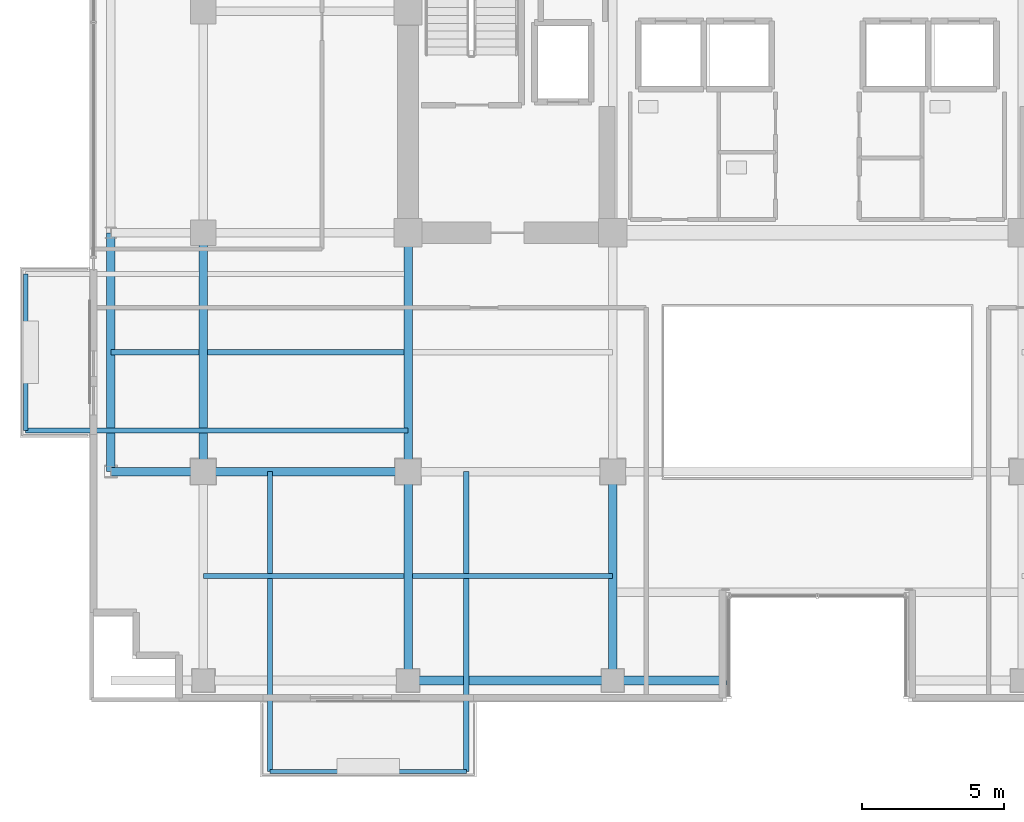
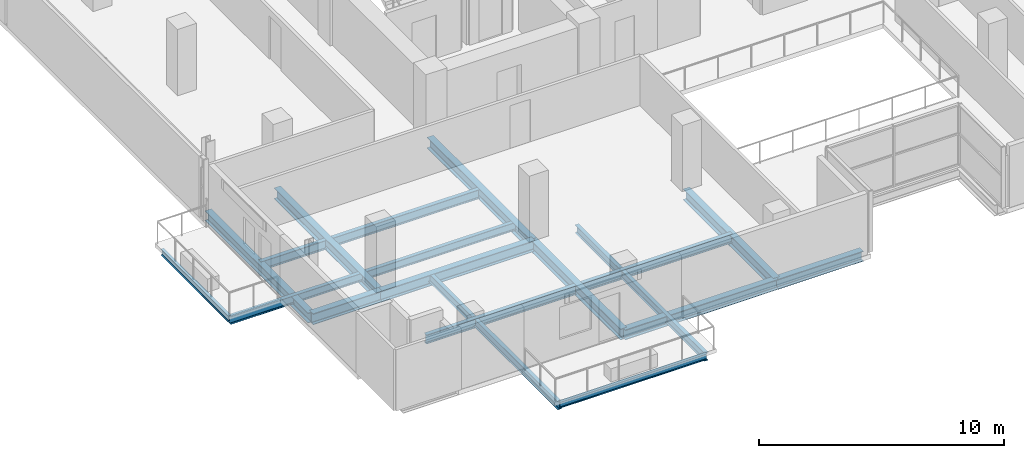
# One storey, part 2 of 22: 18 beams.
"""IFC4 building model written with IfcOpenShell, lengths in metres."""

from ifc_helpers import new_model, si_unit, direction, frame, origin, origin_2d, place, context, subcontext, project, spatial, i_section, extrude, material, material_profile, profile_set, type_object, element, save


model = new_model("IFC4")

# Units and contexts
model_context = context("Model", 3, precision=1e-05, world=origin(), true_north=direction((0.0, 1.0)))
body_context = subcontext(model_context, "Body", "Model", "MODEL_VIEW")
ifc_project = project(units=[si_unit("LENGTHUNIT", "METRE"), si_unit("AREAUNIT", "SQUARE_METRE"), si_unit("VOLUMEUNIT", "CUBIC_METRE"), si_unit("PLANEANGLEUNIT", "RADIAN"), si_unit("MASSUNIT", "GRAM", prefix="KILO")], contexts=[model_context])

# Site, building, storey
site_placement = place(None, origin())
site = spatial("IfcSite", under=ifc_project, at=site_placement, CompositionType="ELEMENT")
building_placement = place(site_placement, origin())
building = spatial("IfcBuilding", under=site, at=building_placement, Name="Zarnakvel Exchange Tower", CompositionType="ELEMENT")
storey_placement = place(building_placement, frame((0.0, 0.0, 136.300048828125)))
storey = spatial("IfcBuildingStorey", under=building, at=storey_placement, Name="L38", CompositionType="ELEMENT", Elevation=136.300048828125)

# Beams
ifc_material = material(Name="Steel S355", Category="steel")
ifc_material_profile_1 = material_profile(ifc_material, i_section(OverallWidth=0.18994140625, OverallDepth=0.449951171875, WebThickness=0.009521484375, FlangeThickness=0.0146484375, FilletRadius=0.02099609375, at=origin_2d()))
ifc_profile_set_1 = profile_set([ifc_material_profile_1], Name="Steel S355")
beam_type_1 = type_object("IfcBeamType", Name="B-05", PredefinedType="JOIST", material=ifc_profile_set_1)
for number, where, z_axis, x_axis, name in (
    (1, (-21.60009765625, -13.27490234375, -0.449951171875), (1.0, 0.0, 0.0), (0.0, 1.0, 0.0), "L38 Composite Floor Secondary Joist"),
    (2, (-14.25, -13.27490234375, -0.449951171875), (1.0, 0.0, 0.0), (0.0, 1.0, 0.0), "L38 Composite Floor Secondary Joist"),
):
    element("IfcBeam", number, at=place(storey_placement, frame(where, z_axis=z_axis, x_axis=x_axis)), inside=storey, type_object=beam_type_1, Name=name, PredefinedType="JOIST", context=body_context, shape_type="SweptSolid", body=[
        extrude(i_section(OverallWidth=0.18994140625, OverallDepth=0.449951171875, WebThickness=0.009521484375, FlangeThickness=0.0146484375, FilletRadius=0.02099609375, at=origin_2d()), origin(), (0.0, 0.0, 1.0), 7.050048828125),
    ])
beam_1_placement = place(storey_placement, frame((-24.85009765625, -5.39990234375, -0.449951171875), z_axis=(1.0, 0.0, 0.0), x_axis=(0.0, 1.0, 0.0)))
element("IfcBeam", 3, at=beam_1_placement, inside=storey, type_object=beam_type_1, Name="L38 Composite Floor Secondary Joist", PredefinedType="JOIST", context=body_context, shape_type="SweptSolid", body=[
    extrude(i_section(OverallWidth=0.18994140625, OverallDepth=0.449951171875, WebThickness=0.009521484375, FlangeThickness=0.0146484375, FilletRadius=0.02099609375, at=origin_2d()), origin(), (0.0, 0.0, 1.0), 3.10009765625),
])
beam_2_placement = place(storey_placement, frame((-21.449951171875, -5.39990234375, -0.449951171875), z_axis=(1.0, 0.0, 0.0), x_axis=(0.0, 1.0, 0.0)))
element("IfcBeam", 4, at=beam_2_placement, inside=storey, type_object=beam_type_1, Name="L38 Composite Floor Secondary Joist", PredefinedType="JOIST", context=body_context, shape_type="SweptSolid", body=[
    extrude(i_section(OverallWidth=0.18994140625, OverallDepth=0.449951171875, WebThickness=0.009521484375, FlangeThickness=0.0146484375, FilletRadius=0.02099609375, at=origin_2d()), origin(), (0.0, 0.0, 1.0), 6.89990234375),
])
ifc_material_profile_2 = material_profile(ifc_material, i_section(OverallWidth=0.179931640625, OverallDepth=0.39990234375, WebThickness=0.008544921875, FlangeThickness=0.013427734375, FilletRadius=0.02099609375, at=origin_2d()))
ifc_profile_set_2 = profile_set([ifc_material_profile_2], Name="Steel S355")
beam_type_2 = type_object("IfcBeamType", Name="B-06", PredefinedType="JOIST", material=ifc_profile_set_2)
for number, where, z_axis, x_axis, name in (
    (5, (-19.25, -9.60009765625, -0.425048828125), (0.0, -1.0, 0.0), (1.0, 0.0, 0.0), "L38 Continuous Back-Spanned Balcony Beam W"),
    (6, (-12.35009765625, -9.60009765625, -0.425048828125), (0.0, -1.0, 0.0), (1.0, 0.0, 0.0), "L38 Continuous Back-Spanned Balcony Beam E"),
):
    element("IfcBeam", number, at=place(storey_placement, frame(where, z_axis=z_axis, x_axis=x_axis)), inside=storey, type_object=beam_type_2, Name=name, PredefinedType="JOIST", context=body_context, shape_type="SweptSolid", body=[
        extrude(i_section(OverallWidth=0.179931640625, OverallDepth=0.39990234375, WebThickness=0.008544921875, FlangeThickness=0.013427734375, FilletRadius=0.02099609375, at=origin_2d()), origin(), (0.0, 0.0, 1.0), 10.5498046875),
    ])
beam_3_placement = place(storey_placement, frame((-14.39990234375, -8.14990234375, -0.425048828125), z_axis=(-1.0, 0.0, 0.0), x_axis=(0.0, -1.0, 0.0)))
element("IfcBeam", 7, at=beam_3_placement, inside=storey, type_object=beam_type_2, Name="L38 Continuous West Loggia Beam S", PredefinedType="JOIST", context=body_context, shape_type="SweptSolid", body=[
    extrude(i_section(OverallWidth=0.179931640625, OverallDepth=0.39990234375, WebThickness=0.008544921875, FlangeThickness=0.013427734375, FilletRadius=0.02099609375, at=origin_2d()), origin(), (0.0, 0.0, 1.0), 13.4501953125),
])
ifc_material_profile_3 = material_profile(ifc_material, i_section(OverallWidth=0.14990234375, OverallDepth=0.300048828125, WebThickness=0.007080078125, FlangeThickness=0.0107421875, FilletRadius=0.014892578125, at=origin_2d()))
ifc_profile_set_3 = profile_set([ifc_material_profile_3], Name="Steel S355")
beam_type_3 = type_object("IfcBeamType", Name="B-08", PredefinedType="JOIST", material=ifc_profile_set_3)
beam_4_placement = place(storey_placement, frame((-19.25, -20.14990234375, -0.375), z_axis=(1.0, 0.0, 0.0), x_axis=(0.0, 1.0, 0.0)))
element("IfcBeam", 8, at=beam_4_placement, inside=storey, type_object=beam_type_3, Name="L38 Balcony Edge Beam", PredefinedType="JOIST", context=body_context, shape_type="SweptSolid", body=[
    extrude(i_section(OverallWidth=0.14990234375, OverallDepth=0.300048828125, WebThickness=0.007080078125, FlangeThickness=0.0107421875, FilletRadius=0.014892578125, at=origin_2d()), origin(), (0.0, 0.0, 1.0), 6.89990234375),
])
beam_5_placement = place(storey_placement, frame((-27.85009765625, -8.14990234375, -0.375), z_axis=(0.0, 1.0, 0.0), x_axis=(-1.0, 0.0, 0.0)))
element("IfcBeam", 9, at=beam_5_placement, inside=storey, type_object=beam_type_3, Name="L38 West Loggia Edge Beam", PredefinedType="JOIST", context=body_context, shape_type="SweptSolid", body=[
    extrude(i_section(OverallWidth=0.14990234375, OverallDepth=0.300048828125, WebThickness=0.007080078125, FlangeThickness=0.0107421875, FilletRadius=0.014892578125, at=origin_2d()), origin(), (0.0, 0.0, 1.0), 5.5),
])
ifc_material_profile_4 = material_profile(ifc_material, i_section(OverallWidth=0.300048828125, OverallDepth=0.550048828125, WebThickness=0.014892578125, FlangeThickness=0.029052734375, FilletRadius=0.027099609375, at=origin_2d()))
ifc_profile_set_4 = profile_set([ifc_material_profile_4], Name="Steel S355")
beam_type_4 = type_object("IfcBeamType", Name="G-05", PredefinedType="BEAM", material=ifc_profile_set_4)
beam_6_placement = place(storey_placement, frame((-24.85009765625, -9.60009765625, -0.5), z_axis=(1.0, 0.0, 0.0), x_axis=(0.0, 1.0, 0.0)))
element("IfcBeam", 10, at=beam_6_placement, inside=storey, type_object=beam_type_4, Name="L38 Tower E-W Frame Beam", PredefinedType="BEAM", context=body_context, shape_type="SweptSolid", body=[
    extrude(i_section(OverallWidth=0.300048828125, OverallDepth=0.550048828125, WebThickness=0.014892578125, FlangeThickness=0.029052734375, FilletRadius=0.027099609375, at=origin_2d()), origin(), (0.0, 0.0, 1.0), 3.25),
])
beam_7_placement = place(storey_placement, frame((-21.60009765625, -9.60009765625, -0.5), z_axis=(1.0, 0.0, 0.0), x_axis=(0.0, 1.0, 0.0)))
element("IfcBeam", 11, at=beam_7_placement, inside=storey, type_object=beam_type_4, Name="L38 Tower E-W Frame Beam", PredefinedType="BEAM", context=body_context, shape_type="SweptSolid", body=[
    extrude(i_section(OverallWidth=0.300048828125, OverallDepth=0.550048828125, WebThickness=0.014892578125, FlangeThickness=0.029052734375, FilletRadius=0.027099609375, at=origin_2d()), origin(), (0.0, 0.0, 1.0), 7.2001953125),
])
beam_8_placement = place(storey_placement, frame((-21.60009765625, -9.60009765625, -0.5), z_axis=(0.0, 1.0, 0.0), x_axis=(-1.0, 0.0, 0.0)))
element("IfcBeam", 12, at=beam_8_placement, inside=storey, type_object=beam_type_4, Name="L38 Tower N-S Frame Beam", PredefinedType="BEAM", context=body_context, shape_type="SweptSolid", body=[
    extrude(i_section(OverallWidth=0.300048828125, OverallDepth=0.550048828125, WebThickness=0.014892578125, FlangeThickness=0.029052734375, FilletRadius=0.027099609375, at=origin_2d()), origin(), (0.0, 0.0, 1.0), 8.400146484375),
])
beam_9_placement = place(storey_placement, frame((-14.39990234375, -16.949951171875, -0.5), z_axis=(0.0, 1.0, 0.0), x_axis=(-1.0, 0.0, 0.0)))
element("IfcBeam", 13, at=beam_9_placement, inside=storey, type_object=beam_type_4, Name="L38 Tower N-S Frame Beam", PredefinedType="BEAM", context=body_context, shape_type="SweptSolid", body=[
    extrude(i_section(OverallWidth=0.300048828125, OverallDepth=0.550048828125, WebThickness=0.014892578125, FlangeThickness=0.029052734375, FilletRadius=0.027099609375, at=origin_2d()), origin(), (0.0, 0.0, 1.0), 7.349853515625),
])
beam_10_placement = place(storey_placement, frame((-14.39990234375, -9.60009765625, -0.5), z_axis=(0.0, 1.0, 0.0), x_axis=(-1.0, 0.0, 0.0)))
element("IfcBeam", 14, at=beam_10_placement, inside=storey, type_object=beam_type_4, Name="L38 Tower N-S Frame Beam", PredefinedType="BEAM", context=body_context, shape_type="SweptSolid", body=[
    extrude(i_section(OverallWidth=0.300048828125, OverallDepth=0.550048828125, WebThickness=0.014892578125, FlangeThickness=0.029052734375, FilletRadius=0.027099609375, at=origin_2d()), origin(), (0.0, 0.0, 1.0), 8.400146484375),
])
beam_11_placement = place(storey_placement, frame((-7.199951171875, -16.949951171875, -0.5), z_axis=(0.0, 1.0, 0.0), x_axis=(-1.0, 0.0, 0.0)))
element("IfcBeam", 15, at=beam_11_placement, inside=storey, type_object=beam_type_4, Name="L38 Tower N-S Frame Beam", PredefinedType="BEAM", context=body_context, shape_type="SweptSolid", body=[
    extrude(i_section(OverallWidth=0.300048828125, OverallDepth=0.550048828125, WebThickness=0.014892578125, FlangeThickness=0.029052734375, FilletRadius=0.027099609375, at=origin_2d()), origin(), (0.0, 0.0, 1.0), 7.349853515625),
])
ifc_material_profile_5 = material_profile(ifc_material, i_section(OverallWidth=0.300048828125, OverallDepth=0.5, WebThickness=0.014404296875, FlangeThickness=0.028076171875, FilletRadius=0.027099609375, at=origin_2d()))
ifc_profile_set_5 = profile_set([ifc_material_profile_5], Name="Steel S355")
beam_type_5 = type_object("IfcBeamType", Name="SP-02", PredefinedType="SPANDREL", material=ifc_profile_set_5)
beam_12_placement = place(storey_placement, frame((-14.39990234375, -16.949951171875, -0.47509765625), z_axis=(1.0, 0.0, 0.0), x_axis=(0.0, 1.0, 0.0)))
element("IfcBeam", 16, at=beam_12_placement, inside=storey, type_object=beam_type_5, Name="L38 Tower E-W Frame Beam", PredefinedType="SPANDREL", context=body_context, shape_type="SweptSolid", body=[
    extrude(i_section(OverallWidth=0.300048828125, OverallDepth=0.5, WebThickness=0.014404296875, FlangeThickness=0.028076171875, FilletRadius=0.027099609375, at=origin_2d()), origin(), (0.0, 0.0, 1.0), 7.199951171875),
])
beam_13_placement = place(storey_placement, frame((-7.199951171875, -16.949951171875, -0.47509765625), z_axis=(1.0, 0.0, 0.0), x_axis=(0.0, 1.0, 0.0)))
element("IfcBeam", 17, at=beam_13_placement, inside=storey, type_object=beam_type_5, Name="L38 South Slot West Jamb Spandrel", PredefinedType="SPANDREL", context=body_context, shape_type="SweptSolid", body=[
    extrude(i_section(OverallWidth=0.300048828125, OverallDepth=0.5, WebThickness=0.014404296875, FlangeThickness=0.028076171875, FilletRadius=0.027099609375, at=origin_2d()), origin(), (0.0, 0.0, 1.0), 4.0),
])
beam_14_placement = place(storey_placement, frame((-24.85009765625, -9.60009765625, -0.47509765625), z_axis=(0.0, 1.0, 0.0), x_axis=(-1.0, 0.0, 0.0)))
element("IfcBeam", 18, at=beam_14_placement, inside=storey, type_object=beam_type_5, Name="L38 Tower N-S Frame Beam", PredefinedType="SPANDREL", context=body_context, shape_type="SweptSolid", body=[
    extrude(i_section(OverallWidth=0.300048828125, OverallDepth=0.5, WebThickness=0.014404296875, FlangeThickness=0.028076171875, FilletRadius=0.027099609375, at=origin_2d()), origin(), (0.0, 0.0, 1.0), 8.400146484375),
])

save(model, "model.ifc")
